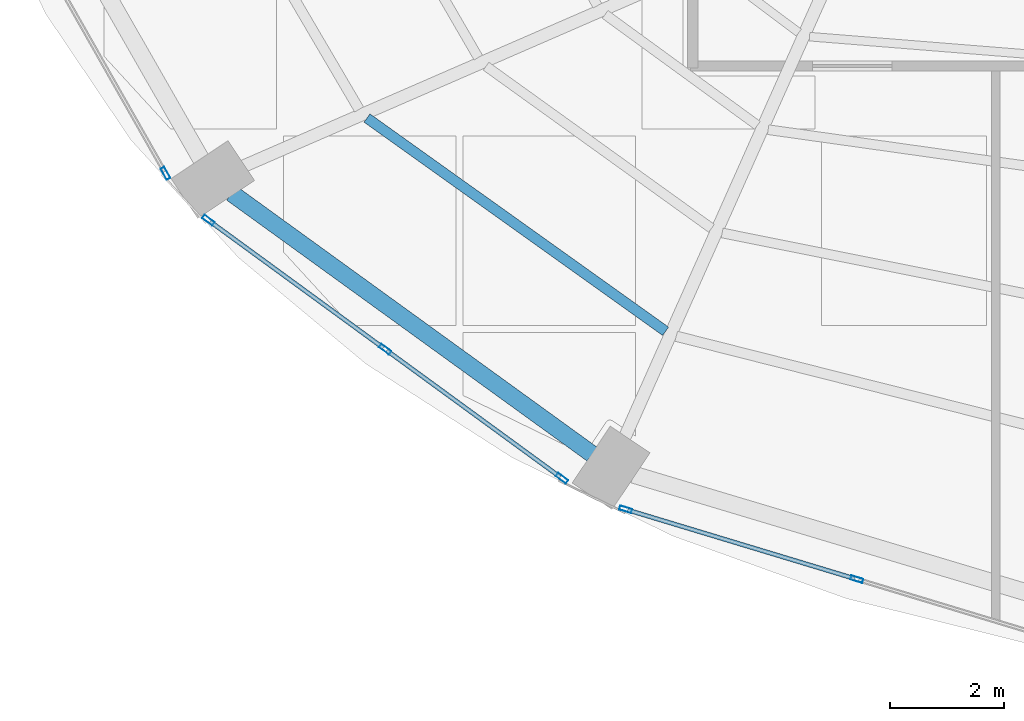
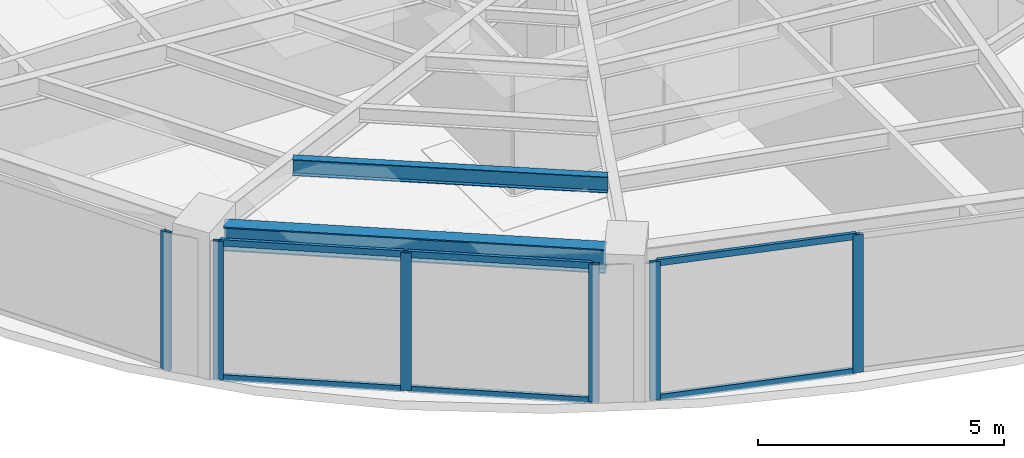
# One storey, part 2 of 24: 12 members, 2 beams, 3 elements without a shape of their own.
"""IFC4 building model written with IfcOpenShell, lengths in metres."""

from ifc_helpers import new_model, si_unit, direction, frame, origin, origin_2d, place, context, subcontext, project, spatial, hollow_rectangle, i_section, extrude, material, layer, layer_set, material_profile, profile_set, type_object, element, aggregate, save


model = new_model("IFC4")

# Units and contexts
model_context = context("Model", 3, precision=1e-05, world=origin(), true_north=direction((0.0, 1.0)))
body_context = subcontext(model_context, "Body", "Model", "MODEL_VIEW")
ifc_project = project(units=[si_unit("LENGTHUNIT", "METRE"), si_unit("AREAUNIT", "SQUARE_METRE"), si_unit("VOLUMEUNIT", "CUBIC_METRE"), si_unit("PLANEANGLEUNIT", "RADIAN"), si_unit("MASSUNIT", "GRAM", prefix="KILO")], contexts=[model_context])

# Site, building, storey
site_placement = place(None, origin())
site = spatial("IfcSite", under=ifc_project, at=site_placement, CompositionType="ELEMENT")
building_placement = place(site_placement, origin())
building = spatial("IfcBuilding", under=site, at=building_placement, Name="Lazwardi Medical Tower", CompositionType="ELEMENT")
storey_placement = place(building_placement, frame((0.0, 0.0, 114.575927734375)))
storey = spatial("IfcBuildingStorey", under=building, at=storey_placement, Name="L29", CompositionType="ELEMENT", Elevation=114.575927734375)

# Beams
ifc_material_1 = material(Name="Steel S355", Category="steel")
ifc_material_profile_1 = material_profile(ifc_material_1, i_section(OverallWidth=0.300048828125, OverallDepth=0.60009765625, WebThickness=0.015380859375, FlangeThickness=0.030029296875, at=origin_2d()), Name="HEB 600")
ifc_profile_set_1 = profile_set([ifc_material_profile_1], Name="Steel S355")
beam_type_1 = type_object("IfcBeamType", Name="BM-RB-Z2", PredefinedType="BEAM", material=ifc_profile_set_1)
beam_1_placement = place(storey_placement, frame((15.25439453125, 15.164794921875, 3.128173828125), z_axis=(0.81005674773, -0.586351486275, 0.0), x_axis=(0.586351486275, 0.81005674773, 0.0)))
element("IfcBeam", 1, at=beam_1_placement, inside=storey, type_object=beam_type_1, Name="Ring beam RB-03 B14 L29", PredefinedType="BEAM", context=body_context, shape_type="SweptSolid", body=[
    extrude(i_section(OverallWidth=0.300048828125, OverallDepth=0.60009765625, WebThickness=0.015380859375, FlangeThickness=0.030029296875, at=origin_2d()), origin(), (0.0, 0.0, 1.0), 7.81396484375),
])
ifc_material_profile_2 = material_profile(ifc_material_1, i_section(OverallWidth=0.179931640625, OverallDepth=0.39990234375, WebThickness=0.008544921875, FlangeThickness=0.013427734375, at=origin_2d()), Name="IPE 400")
ifc_profile_set_2 = profile_set([ifc_material_profile_2], Name="Steel S355")
beam_type_2 = type_object("IfcBeamType", Name="BM-SJ-01", PredefinedType="JOIST", material=ifc_profile_set_2)
beam_2_placement = place(storey_placement, frame((17.630615234375, 16.485595703125, 3.22802734375), z_axis=(0.813748834317, -0.581216684763, 0.0), x_axis=(0.581216684763, 0.813748834317, 0.0)))
element("IfcBeam", 2, at=beam_2_placement, inside=storey, type_object=beam_type_2, Name="Secondary joist SJ-01 R1 B14 L29", PredefinedType="JOIST", context=body_context, shape_type="SweptSolid", body=[
    extrude(i_section(OverallWidth=0.179931640625, OverallDepth=0.39990234375, WebThickness=0.008544921875, FlangeThickness=0.013427734375, at=origin_2d()), origin(), (0.0, 0.0, 1.0), 6.4423828125),
])

# Curtain wall, member
ifc_material_2 = material(Name="Anodised bronze aluminium and solar control glazing", Category="aluminium")
ifc_layer = layer(ifc_material_2, 0.195068359375)
ifc_layer_set = layer_set([ifc_layer], Name="Anodised bronze aluminium and solar control glazing")
curtain_wall_type = type_object("IfcCurtainWallType", Name="CW-SYS-03", PredefinedType="NOTDEFINED", material=ifc_layer_set)
curtain_wall_1_placement = place(storey_placement, origin())
curtain_wall_1 = element("IfcCurtainWall", 3, at=curtain_wall_1_placement, inside=storey, type_object=curtain_wall_type, Name="L29 Unitised bronze curtain wall CW-03", PredefinedType="NOTDEFINED")
ifc_material_3 = material(Name="Anodised bronze aluminium", Category="aluminium")
ifc_material_profile_3 = material_profile(ifc_material_3, hollow_rectangle(XDim=0.074951171875, YDim=0.219970703125, WallThickness=0.00390625, at=origin_2d()), Name="ALU-MULLION 220x75x4")
ifc_profile_set_3 = profile_set([ifc_material_profile_3], Name="Anodised bronze aluminium")
member_type_1 = type_object("IfcMemberType", Name="CW-MUL-01", PredefinedType="MULLION", material=ifc_profile_set_3)
member_1_placement = place(storey_placement, frame((14.0927734375, 15.51416015625, 0.0), z_axis=(0.0, 0.0, 1.0), x_axis=(0.869687265712, 0.493603140041, 0.0)))
member_1 = element("IfcMember", 4, at=member_1_placement, type_object=member_type_1, Name="CW-03 mullion 2", PredefinedType="MULLION", context=body_context, shape_type="SweptSolid", body=[
    extrude(hollow_rectangle(XDim=0.074951171875, YDim=0.219970703125, WallThickness=0.00390625, at=origin_2d()), origin(), (0.0, 0.0, 1.0), 3.427978515625),
])
aggregate(curtain_wall_1, [member_1])

# Curtain wall, members
curtain_wall_2_placement = place(storey_placement, origin())
curtain_wall_2 = element("IfcCurtainWall", 5, at=curtain_wall_2_placement, inside=storey, type_object=curtain_wall_type, Name="L29 Unitised bronze curtain wall CW-03", PredefinedType="NOTDEFINED")
member_2_placement = place(storey_placement, frame((14.844970703125, 14.691162109375, 0.0), z_axis=(0.0, 0.0, 1.0), x_axis=(0.589530882802, 0.807745837639, 0.0)))
member_2 = element("IfcMember", 6, at=member_2_placement, type_object=member_type_1, Name="CW-03 mullion 1", PredefinedType="MULLION", context=body_context, shape_type="SweptSolid", body=[
    extrude(hollow_rectangle(XDim=0.074951171875, YDim=0.219970703125, WallThickness=0.00390625, at=origin_2d()), origin(), (0.0, 0.0, 1.0), 3.427978515625),
])
member_3_placement = place(storey_placement, frame((17.948974609375, 12.42578125, 0.0), z_axis=(0.0, 0.0, 1.0), x_axis=(0.589530882802, 0.807745837639, 0.0)))
member_3 = element("IfcMember", 7, at=member_3_placement, type_object=member_type_1, Name="CW-03 mullion 2", PredefinedType="MULLION", context=body_context, shape_type="SweptSolid", body=[
    extrude(hollow_rectangle(XDim=0.074951171875, YDim=0.219970703125, WallThickness=0.00390625, at=origin_2d()), origin(), (0.0, 0.0, 1.0), 3.427978515625),
])
member_4_placement = place(storey_placement, frame((21.052734375, 10.160400390625, 0.0), z_axis=(0.0, 0.0, 1.0), x_axis=(0.589530882802, 0.807745837639, 0.0)))
member_4 = element("IfcMember", 8, at=member_4_placement, type_object=member_type_1, Name="CW-03 mullion 3", PredefinedType="MULLION", context=body_context, shape_type="SweptSolid", body=[
    extrude(hollow_rectangle(XDim=0.074951171875, YDim=0.219970703125, WallThickness=0.00390625, at=origin_2d()), origin(), (0.0, 0.0, 1.0), 3.427978515625),
])

curtain_wall_3_placement = place(storey_placement, origin())
curtain_wall_3 = element("IfcCurtainWall", 9, at=curtain_wall_3_placement, inside=storey, type_object=curtain_wall_type, Name="L29 Unitised bronze curtain wall CW-03", PredefinedType="NOTDEFINED")
member_5_placement = place(storey_placement, frame((22.171630859375, 9.614013671875, 0.0), z_axis=(0.0, 0.0, 1.0), x_axis=(0.28937381157, 0.957216170558, 0.0)))
member_5 = element("IfcMember", 10, at=member_5_placement, type_object=member_type_1, Name="CW-03 mullion 1", PredefinedType="MULLION", context=body_context, shape_type="SweptSolid", body=[
    extrude(hollow_rectangle(XDim=0.074951171875, YDim=0.219970703125, WallThickness=0.00390625, at=origin_2d()), origin(), (0.0, 0.0, 1.0), 3.427978515625),
])
member_6_placement = place(storey_placement, frame((26.230712890625, 8.386962890625, 0.0), z_axis=(0.0, 0.0, 1.0), x_axis=(0.28937381157, 0.957216170558, 0.0)))
member_6 = element("IfcMember", 11, at=member_6_placement, type_object=member_type_1, Name="CW-03 mullion 2", PredefinedType="MULLION", context=body_context, shape_type="SweptSolid", body=[
    extrude(hollow_rectangle(XDim=0.074951171875, YDim=0.219970703125, WallThickness=0.00390625, at=origin_2d()), origin(), (0.0, 0.0, 1.0), 3.427978515625),
])

# Member
ifc_material_profile_4 = material_profile(ifc_material_3, hollow_rectangle(XDim=0.074951171875, YDim=0.159912109375, WallThickness=0.00390625, at=origin_2d()), Name="ALU-TRANSOM 160x75x4")
ifc_profile_set_4 = profile_set([ifc_material_profile_4], Name="Anodised bronze aluminium")
member_type_2 = type_object("IfcMemberType", Name="CW-TRN-01", PredefinedType="USERDEFINED", material=ifc_profile_set_4)
member_7_placement = place(storey_placement, frame((14.87548828125, 14.6689453125, 0.03759765625), z_axis=(0.807731734271, -0.589550206049, 0.0), x_axis=(0.589550206049, 0.807731734271, 0.0)))
member_7 = element("IfcMember", 12, at=member_7_placement, type_object=member_type_2, Name="CW-03 transom 1.1", ObjectType="TRANSOM", PredefinedType="USERDEFINED", context=body_context, shape_type="SweptSolid", body=[
    extrude(hollow_rectangle(XDim=0.074951171875, YDim=0.159912109375, WallThickness=0.00390625, at=origin_2d()), origin(), (0.0, 0.0, 1.0), 3.767578125),
])

member_8_placement = place(storey_placement, frame((14.87548828125, 14.6689453125, 3.390625), z_axis=(0.807731734271, -0.589550206049, 0.0), x_axis=(0.589550206049, 0.807731734271, 0.0)))
member_8 = element("IfcMember", 13, at=member_8_placement, type_object=member_type_2, Name="CW-03 transom 1.2", ObjectType="TRANSOM", PredefinedType="USERDEFINED", context=body_context, shape_type="SweptSolid", body=[
    extrude(hollow_rectangle(XDim=0.074951171875, YDim=0.159912109375, WallThickness=0.00390625, at=origin_2d()), origin(), (0.0, 0.0, 1.0), 3.767578125),
])

member_9_placement = place(storey_placement, frame((17.979248046875, 12.403564453125, 0.03759765625), z_axis=(0.80776259199, -0.58950792614, 0.0), x_axis=(0.58950792614, 0.80776259199, 0.0)))
member_9 = element("IfcMember", 14, at=member_9_placement, type_object=member_type_2, Name="CW-03 transom 2.1", ObjectType="TRANSOM", PredefinedType="USERDEFINED", context=body_context, shape_type="SweptSolid", body=[
    extrude(hollow_rectangle(XDim=0.074951171875, YDim=0.159912109375, WallThickness=0.00390625, at=origin_2d()), origin(), (0.0, 0.0, 1.0), 3.767578125),
])

member_10_placement = place(storey_placement, frame((17.979248046875, 12.403564453125, 3.390625), z_axis=(0.80776259199, -0.58950792614, 0.0), x_axis=(0.58950792614, 0.80776259199, 0.0)))
member_10 = element("IfcMember", 15, at=member_10_placement, type_object=member_type_2, Name="CW-03 transom 2.2", ObjectType="TRANSOM", PredefinedType="USERDEFINED", context=body_context, shape_type="SweptSolid", body=[
    extrude(hollow_rectangle(XDim=0.074951171875, YDim=0.159912109375, WallThickness=0.00390625, at=origin_2d()), origin(), (0.0, 0.0, 1.0), 3.767578125),
])

aggregate(curtain_wall_2, [member_2, member_3, member_4, member_7, member_8, member_9, member_10])

member_11_placement = place(storey_placement, frame((22.20751953125, 9.603271484375, 0.03759765625), z_axis=(0.957204630929, -0.289411980623, 0.0), x_axis=(0.289411980623, 0.957204630929, 0.0)))
member_11 = element("IfcMember", 16, at=member_11_placement, type_object=member_type_2, Name="CW-03 transom 1.1", ObjectType="TRANSOM", PredefinedType="USERDEFINED", context=body_context, shape_type="SweptSolid", body=[
    extrude(hollow_rectangle(XDim=0.074951171875, YDim=0.159912109375, WallThickness=0.00390625, at=origin_2d()), origin(), (0.0, 0.0, 1.0), 4.16552734375),
])

member_12_placement = place(storey_placement, frame((22.20751953125, 9.603271484375, 3.390625), z_axis=(0.957204630929, -0.289411980623, 0.0), x_axis=(0.289411980623, 0.957204630929, 0.0)))
member_12 = element("IfcMember", 17, at=member_12_placement, type_object=member_type_2, Name="CW-03 transom 1.2", ObjectType="TRANSOM", PredefinedType="USERDEFINED", context=body_context, shape_type="SweptSolid", body=[
    extrude(hollow_rectangle(XDim=0.074951171875, YDim=0.159912109375, WallThickness=0.00390625, at=origin_2d()), origin(), (0.0, 0.0, 1.0), 4.16552734375),
])

aggregate(curtain_wall_3, [member_5, member_6, member_11, member_12])

save(model, "model.ifc")
